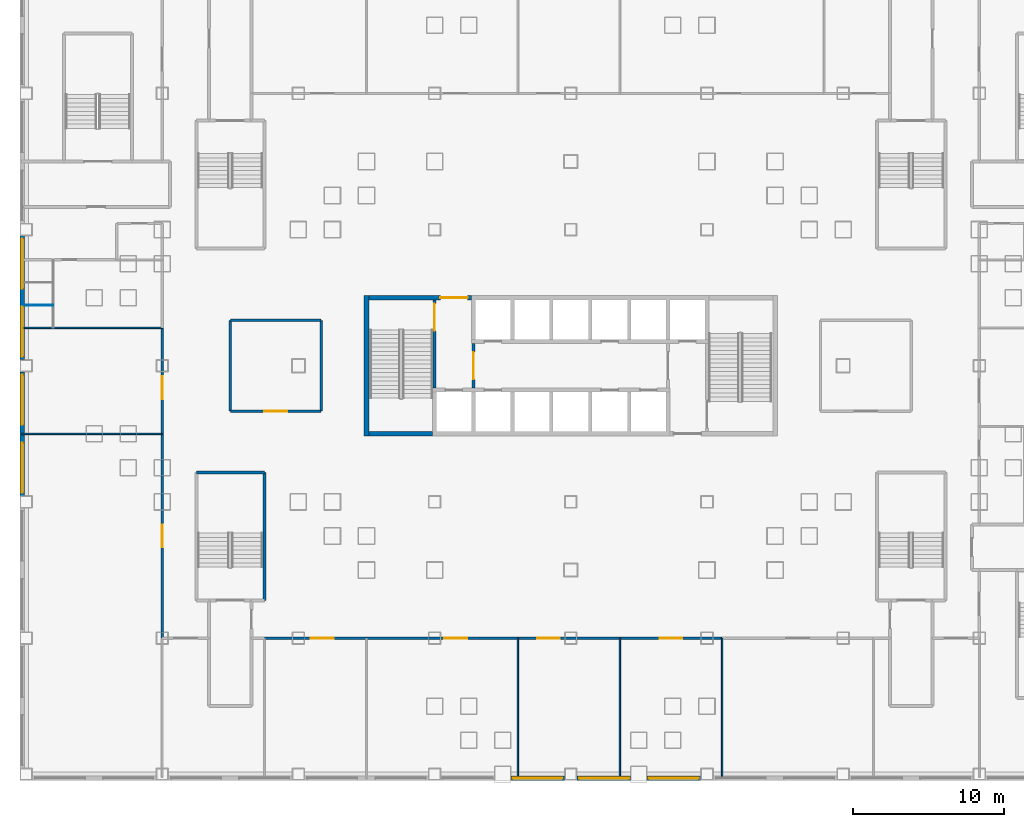
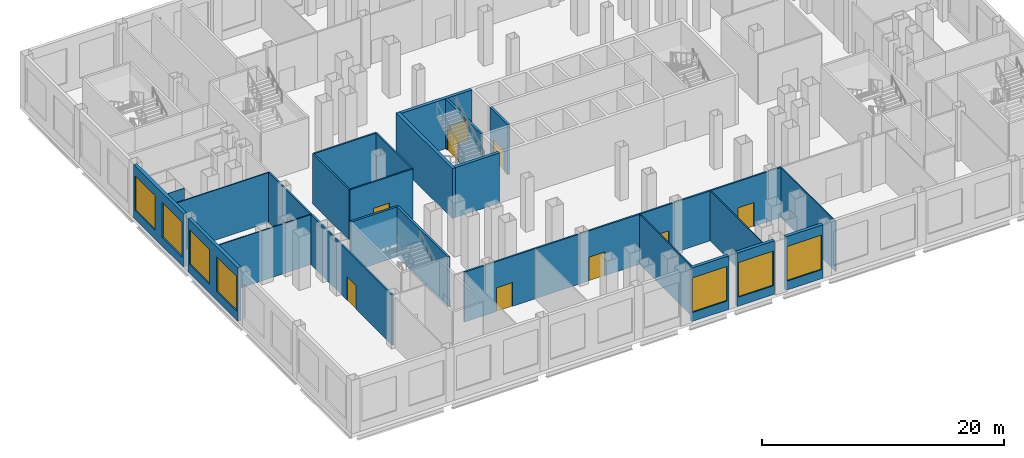
# One storey, part 3 of 27: 28 walls, 10 doors, 7 windows, 17 openings.
"""IFC4 building model written with IfcOpenShell, lengths in metres."""

from ifc_helpers import new_model, si_unit, direction, frame, frame_2d, origin, place, context, subcontext, project, spatial, rectangle, extrude, material, layer, layer_set, type_object, element, fill, save


model = new_model("IFC4")

# Units and contexts
model_context = context("Model", 3, precision=1e-05, world=origin(), true_north=direction((0.0, 1.0)))
body_context = subcontext(model_context, "Body", "Model", "MODEL_VIEW")
ifc_project = project(units=[si_unit("LENGTHUNIT", "METRE"), si_unit("AREAUNIT", "SQUARE_METRE"), si_unit("VOLUMEUNIT", "CUBIC_METRE"), si_unit("PLANEANGLEUNIT", "RADIAN"), si_unit("MASSUNIT", "GRAM", prefix="KILO")], contexts=[model_context])

# Site, building, storey
site_placement = place(None, origin())
site = spatial("IfcSite", under=ifc_project, at=site_placement, CompositionType="ELEMENT")
building_placement = place(site_placement, origin())
building = spatial("IfcBuilding", under=site, at=building_placement, Name="Caravel Reach Hotel and Residences", CompositionType="ELEMENT")
storey_placement = place(building_placement, frame((0.0, 0.0, 6.60009765625)))
storey = spatial("IfcBuildingStorey", under=building, at=storey_placement, Name="L01", CompositionType="ELEMENT", Elevation=6.60009765625)

# Wall
ifc_material_1 = material(Name="Concrete C60", Category="concrete")
ifc_layer_1 = layer(ifc_material_1, 0.300048828125)
ifc_layer_set_1 = layer_set([ifc_layer_1], Name="Core wall 300 mm EI 120")
wall_type_1 = type_object("IfcWallType", Name="Core wall 300 mm EI 120", PredefinedType="SHEAR", material=ifc_layer_set_1)
wall_1_placement = place(storey_placement, frame((18.14990234375, 22.5, 0.0), z_axis=(0.0, 0.0, 1.0), x_axis=(1.0, 0.0, 0.0)))
element("IfcWall", 1, at=wall_1_placement, inside=storey, type_object=wall_type_1, Name="L01 core wall S1", PredefinedType="SHEAR", context=body_context, shape_type="SweptSolid", body=[
    extrude(rectangle(XDim=4.22509765625, YDim=0.300048828125, at=frame_2d((2.112548828125, 0.0))), origin(), (0.0, 0.0, 1.0), 5.0498046875),
])

# Wall, opening, door
wall_2_placement = place(storey_placement, frame((18.14990234375, 31.5, 0.0), z_axis=(0.0, 0.0, 1.0), x_axis=(1.0, 0.0, 0.0)))
wall_2 = element("IfcWall", 2, at=wall_2_placement, inside=storey, type_object=wall_type_1, Name="L01 core wall N1", PredefinedType="SHEAR", context=body_context, shape_type="SweptSolid", body=[
    extrude(rectangle(XDim=6.796630859375, YDim=0.300048828125, at=frame_2d((3.3984375, 0.0))), origin(), (0.0, 0.0, 1.0), 5.0498046875),
])
opening_1_placement = place(wall_2_placement, frame((4.735595703125, 0.0, 0.0)))
opening_1 = element("IfcOpeningElement", 3, at=opening_1_placement, cuts=wall_2, Name="Opening D01-012", PredefinedType="OPENING", context=body_context, shape_type="SweptSolid", body=[
    extrude(rectangle(XDim=1.800048828125, YDim=2.10009765625, at=frame_2d((0.89990234375, 1.050048828125))), frame((0.0, 0.159912109375, 0.0), z_axis=(0.0, -1.0, 0.0), x_axis=(1.0, 0.0, 0.0)), (0.0, 0.0, 1.0), 0.320068359375),
])
ifc_material_2 = material(Name="Steel fire door leaf", Category="steel")
door_type_1 = type_object("IfcDoorType", Name="Fire lobby door pair 1800 x 2100 EI 90", OperationType="DOUBLE_DOOR_SINGLE_SWING", PredefinedType="DOOR", material=ifc_material_2)
door_1_placement = place(opening_1_placement, origin())
door_1 = element("IfcDoor", 4, at=door_1_placement, inside=storey, type_object=door_type_1, Name="lobby N door pair to corridor", OperationType="DOUBLE_DOOR_SINGLE_SWING", OverallHeight=2.10009765625, OverallWidth=1.800048828125, PredefinedType="DOOR", context=body_context, shape_type="SweptSolid", body=[
    extrude(rectangle(XDim=1.800048828125, YDim=2.10009765625, at=frame_2d((0.89990234375, 1.050048828125))), frame((0.0, 0.02490234375, 0.0), z_axis=(0.0, -1.0, 0.0), x_axis=(1.0, 0.0, 0.0)), (0.0, 0.0, 1.0), 0.050048828125),
])
fill(opening_1, door_1)

# Wall
wall_3_placement = place(storey_placement, frame((18.0, 22.35009765625, 0.0), z_axis=(0.0, 0.0, 1.0), x_axis=(0.0, 1.0, 0.0)))
element("IfcWall", 5, at=wall_3_placement, inside=storey, type_object=wall_type_1, Name="L01 core wall W", PredefinedType="SHEAR", context=body_context, shape_type="SweptSolid", body=[
    extrude(rectangle(XDim=9.2998046875, YDim=0.300048828125, at=frame_2d((4.64990234375, 0.0))), origin(), (0.0, 0.0, 1.0), 5.0498046875),
])

# Wall, opening, door
ifc_material_3 = material(Name="Gypsum board on steel stud, fire-rated", Category="steel")
ifc_layer_2 = layer(ifc_material_3, 0.14990234375)
ifc_layer_set_2 = layer_set([ifc_layer_2], Name="Corridor wall 150 mm EI 60")
wall_type_2 = type_object("IfcWallType", Name="Corridor wall 150 mm EI 60", PredefinedType="PARTITIONING", material=ifc_layer_set_2)
wall_4_placement = place(storey_placement, frame((9.0, 24.0, 0.0), z_axis=(0.0, 0.0, 1.0), x_axis=(1.0, 0.0, 0.0)))
wall_4 = element("IfcWall", 6, at=wall_4_placement, inside=storey, type_object=wall_type_2, Name="L01 wall w001", PredefinedType="PARTITIONING", context=body_context, shape_type="SweptSolid", body=[
    extrude(rectangle(XDim=6.0, YDim=0.14990234375, at=frame_2d((3.0, 0.0))), origin(), (0.0, 0.0, 1.0), 5.0498046875),
])
opening_2_placement = place(wall_4_placement, frame((2.25, 0.0, 0.0)))
opening_2 = element("IfcOpeningElement", 7, at=opening_2_placement, cuts=wall_4, Name="Opening D01-051", PredefinedType="OPENING", context=body_context, shape_type="SweptSolid", body=[
    extrude(rectangle(XDim=1.5, YDim=2.39990234375, at=frame_2d((0.75, 1.199951171875))), frame((0.0, 0.0849609375, 0.0), z_axis=(0.0, -1.0, 0.0), x_axis=(1.0, 0.0, 0.0)), (0.0, 0.0, 1.0), 0.169921875),
])
ifc_material_4 = material(Name="Timber and steel door leaf", Category="steel")
door_type_2 = type_object("IfcDoorType", Name="Shopfront door 1500 x 2400", OperationType="DOUBLE_DOOR_SINGLE_SWING", PredefinedType="DOOR", material=ifc_material_4)
door_2_placement = place(opening_2_placement, origin())
door_2 = element("IfcDoor", 8, at=door_2_placement, inside=storey, type_object=door_type_2, Name="door D01-051", OperationType="DOUBLE_DOOR_SINGLE_SWING", OverallHeight=2.39990234375, OverallWidth=1.5, PredefinedType="DOOR", context=body_context, shape_type="SweptSolid", body=[
    extrude(rectangle(XDim=1.5, YDim=2.39990234375, at=frame_2d((0.75, 1.199951171875))), frame((0.0, 0.02490234375, 0.0), z_axis=(0.0, -1.0, 0.0), x_axis=(1.0, 0.0, 0.0)), (0.0, 0.0, 1.0), 0.050048828125),
])
fill(opening_2, door_2)

# Wall
wall_5_placement = place(storey_placement, frame((9.0, 30.0, 0.0), z_axis=(0.0, 0.0, 1.0), x_axis=(1.0, 0.0, 0.0)))
element("IfcWall", 9, at=wall_5_placement, inside=storey, type_object=wall_type_2, Name="L01 wall w003", PredefinedType="PARTITIONING", context=body_context, shape_type="SweptSolid", body=[
    extrude(rectangle(XDim=6.0, YDim=0.14990234375, at=frame_2d((3.0, 0.0))), origin(), (0.0, 0.0, 1.0), 5.0498046875),
])

# Wall, opening, door
wall_6_placement = place(storey_placement, frame((11.25, 9.0, 0.0), z_axis=(0.0, 0.0, 1.0), x_axis=(1.0, 0.0, 0.0)))
wall_6 = element("IfcWall", 10, at=wall_6_placement, inside=storey, type_object=wall_type_2, Name="L01 wall w016", PredefinedType="PARTITIONING", context=body_context, shape_type="SweptSolid", body=[
    extrude(rectangle(XDim=6.75, YDim=0.14990234375, at=frame_2d((3.375, 0.0))), origin(), (0.0, 0.0, 1.0), 5.0498046875),
])
opening_3_placement = place(wall_6_placement, frame((3.074951171875, 0.0, 0.0)))
opening_3 = element("IfcOpeningElement", 11, at=opening_3_placement, cuts=wall_6, Name="Opening D01-040", PredefinedType="OPENING", context=body_context, shape_type="SweptSolid", body=[
    extrude(rectangle(XDim=1.5, YDim=2.39990234375, at=frame_2d((0.75, 1.199951171875))), frame((0.0, 0.0849609375, 0.0), z_axis=(0.0, -1.0, 0.0), x_axis=(1.0, 0.0, 0.0)), (0.0, 0.0, 1.0), 0.169921875),
])
door_3_placement = place(opening_3_placement, origin())
door_3 = element("IfcDoor", 12, at=door_3_placement, inside=storey, type_object=door_type_2, Name="door D01-040", OperationType="DOUBLE_DOOR_SINGLE_SWING", OverallHeight=2.39990234375, OverallWidth=1.5, PredefinedType="DOOR", context=body_context, shape_type="SweptSolid", body=[
    extrude(rectangle(XDim=1.5, YDim=2.39990234375, at=frame_2d((0.75, 1.199951171875))), frame((0.0, 0.02490234375, 0.0), z_axis=(0.0, -1.0, 0.0), x_axis=(1.0, 0.0, 0.0)), (0.0, 0.0, 1.0), 0.050048828125),
])
fill(opening_3, door_3)

wall_7_placement = place(storey_placement, frame((18.0, 9.0, 0.0), z_axis=(0.0, 0.0, 1.0), x_axis=(1.0, 0.0, 0.0)))
wall_7 = element("IfcWall", 13, at=wall_7_placement, inside=storey, type_object=wall_type_2, Name="L01 wall w017", PredefinedType="PARTITIONING", context=body_context, shape_type="SweptSolid", body=[
    extrude(rectangle(XDim=10.0, YDim=0.14990234375, at=frame_2d((5.0, 0.0))), origin(), (0.0, 0.0, 1.0), 5.0498046875),
])
opening_4_placement = place(wall_7_placement, frame((5.14990234375, 0.0, 0.0)))
opening_4 = element("IfcOpeningElement", 14, at=opening_4_placement, cuts=wall_7, Name="Opening D01-041", PredefinedType="OPENING", context=body_context, shape_type="SweptSolid", body=[
    extrude(rectangle(XDim=1.5, YDim=2.39990234375, at=frame_2d((0.75, 1.199951171875))), frame((0.0, 0.0849609375, 0.0), z_axis=(0.0, -1.0, 0.0), x_axis=(1.0, 0.0, 0.0)), (0.0, 0.0, 1.0), 0.169921875),
])
door_4_placement = place(opening_4_placement, origin())
door_4 = element("IfcDoor", 15, at=door_4_placement, inside=storey, type_object=door_type_2, Name="door D01-041", OperationType="DOUBLE_DOOR_SINGLE_SWING", OverallHeight=2.39990234375, OverallWidth=1.5, PredefinedType="DOOR", context=body_context, shape_type="SweptSolid", body=[
    extrude(rectangle(XDim=1.5, YDim=2.39990234375, at=frame_2d((0.75, 1.199951171875))), frame((0.0, 0.02490234375, 0.0), z_axis=(0.0, -1.0, 0.0), x_axis=(1.0, 0.0, 0.0)), (0.0, 0.0, 1.0), 0.050048828125),
])
fill(opening_4, door_4)

wall_8_placement = place(storey_placement, frame((28.0, 9.0, 0.0), z_axis=(0.0, 0.0, 1.0), x_axis=(1.0, 0.0, 0.0)))
wall_8 = element("IfcWall", 16, at=wall_8_placement, inside=storey, type_object=wall_type_2, Name="L01 wall w018", PredefinedType="PARTITIONING", context=body_context, shape_type="SweptSolid", body=[
    extrude(rectangle(XDim=6.75, YDim=0.14990234375, at=frame_2d((3.375, 0.0))), origin(), (0.0, 0.0, 1.0), 5.0498046875),
])
opening_5_placement = place(wall_8_placement, frame((1.27490234375, 0.0, 0.0)))
opening_5 = element("IfcOpeningElement", 17, at=opening_5_placement, cuts=wall_8, Name="Opening D01-042", PredefinedType="OPENING", context=body_context, shape_type="SweptSolid", body=[
    extrude(rectangle(XDim=1.5, YDim=2.39990234375, at=frame_2d((0.75, 1.199951171875))), frame((0.0, 0.0849609375, 0.0), z_axis=(0.0, -1.0, 0.0), x_axis=(1.0, 0.0, 0.0)), (0.0, 0.0, 1.0), 0.169921875),
])
door_5_placement = place(opening_5_placement, origin())
door_5 = element("IfcDoor", 18, at=door_5_placement, inside=storey, type_object=door_type_2, Name="door D01-042", OperationType="DOUBLE_DOOR_SINGLE_SWING", OverallHeight=2.39990234375, OverallWidth=1.5, PredefinedType="DOOR", context=body_context, shape_type="SweptSolid", body=[
    extrude(rectangle(XDim=1.5, YDim=2.39990234375, at=frame_2d((0.75, 1.199951171875))), frame((0.0, 0.02490234375, 0.0), z_axis=(0.0, -1.0, 0.0), x_axis=(1.0, 0.0, 0.0)), (0.0, 0.0, 1.0), 0.050048828125),
])
fill(opening_5, door_5)

wall_9_placement = place(storey_placement, frame((34.75, 9.0, 0.0), z_axis=(0.0, 0.0, 1.0), x_axis=(1.0, 0.0, 0.0)))
wall_9 = element("IfcWall", 19, at=wall_9_placement, inside=storey, type_object=wall_type_2, Name="L01 wall w019", PredefinedType="PARTITIONING", context=body_context, shape_type="SweptSolid", body=[
    extrude(rectangle(XDim=6.75, YDim=0.14990234375, at=frame_2d((3.375, 0.0))), origin(), (0.0, 0.0, 1.0), 5.0498046875),
])
opening_6_placement = place(wall_9_placement, frame((2.625, 0.0, 0.0)))
opening_6 = element("IfcOpeningElement", 20, at=opening_6_placement, cuts=wall_9, Name="Opening D01-043", PredefinedType="OPENING", context=body_context, shape_type="SweptSolid", body=[
    extrude(rectangle(XDim=1.5, YDim=2.39990234375, at=frame_2d((0.75, 1.199951171875))), frame((0.0, 0.0849609375, 0.0), z_axis=(0.0, -1.0, 0.0), x_axis=(1.0, 0.0, 0.0)), (0.0, 0.0, 1.0), 0.169921875),
])
door_6_placement = place(opening_6_placement, origin())
door_6 = element("IfcDoor", 21, at=door_6_placement, inside=storey, type_object=door_type_2, Name="door D01-043", OperationType="DOUBLE_DOOR_SINGLE_SWING", OverallHeight=2.39990234375, OverallWidth=1.5, PredefinedType="DOOR", context=body_context, shape_type="SweptSolid", body=[
    extrude(rectangle(XDim=1.5, YDim=2.39990234375, at=frame_2d((0.75, 1.199951171875))), frame((0.0, 0.02490234375, 0.0), z_axis=(0.0, -1.0, 0.0), x_axis=(1.0, 0.0, 0.0)), (0.0, 0.0, 1.0), 0.050048828125),
])
fill(opening_6, door_6)

# Wall
wall_10_placement = place(storey_placement, frame((15.0, 24.0, 0.0), z_axis=(0.0, 0.0, 1.0), x_axis=(0.0, 1.0, 0.0)))
element("IfcWall", 22, at=wall_10_placement, inside=storey, type_object=wall_type_2, Name="L01 wall w024", PredefinedType="PARTITIONING", context=body_context, shape_type="SweptSolid", body=[
    extrude(rectangle(XDim=6.0, YDim=0.14990234375, at=frame_2d((3.0, 0.0))), origin(), (0.0, 0.0, 1.0), 5.0498046875),
])

# Wall, opening, door
wall_11_placement = place(storey_placement, frame((4.5, 9.0, 0.0), z_axis=(0.0, 0.0, 1.0), x_axis=(0.0, 1.0, 0.0)))
wall_11 = element("IfcWall", 23, at=wall_11_placement, inside=storey, type_object=wall_type_2, Name="L01 wall w025", PredefinedType="PARTITIONING", context=body_context, shape_type="SweptSolid", body=[
    extrude(rectangle(XDim=13.5, YDim=0.14990234375, at=frame_2d((6.75, 0.0))), origin(), (0.0, 0.0, 1.0), 5.0498046875),
])
opening_7_placement = place(wall_11_placement, frame((6.0, 0.0, 0.0)))
opening_7 = element("IfcOpeningElement", 24, at=opening_7_placement, cuts=wall_11, Name="Opening D01-029", PredefinedType="OPENING", context=body_context, shape_type="SweptSolid", body=[
    extrude(rectangle(XDim=1.5, YDim=2.39990234375, at=frame_2d((0.75, 1.199951171875))), frame((0.0, 0.0849609375, 0.0), z_axis=(0.0, -1.0, 0.0), x_axis=(1.0, 0.0, 0.0)), (0.0, 0.0, 1.0), 0.169921875),
])
door_7_placement = place(opening_7_placement, origin())
door_7 = element("IfcDoor", 25, at=door_7_placement, inside=storey, type_object=door_type_2, Name="door D01-029", OperationType="DOUBLE_DOOR_SINGLE_SWING", OverallHeight=2.39990234375, OverallWidth=1.5, PredefinedType="DOOR", context=body_context, shape_type="SweptSolid", body=[
    extrude(rectangle(XDim=1.5, YDim=2.39990234375, at=frame_2d((0.75, 1.199951171875))), frame((0.0, 0.02490234375, 0.0), z_axis=(0.0, -1.0, 0.0), x_axis=(1.0, 0.0, 0.0)), (0.0, 0.0, 1.0), 0.050048828125),
])
fill(opening_7, door_7)

wall_12_placement = place(storey_placement, frame((4.5, 22.5, 0.0), z_axis=(0.0, 0.0, 1.0), x_axis=(0.0, 1.0, 0.0)))
wall_12 = element("IfcWall", 26, at=wall_12_placement, inside=storey, type_object=wall_type_2, Name="L01 wall w026", PredefinedType="PARTITIONING", context=body_context, shape_type="SweptSolid", body=[
    extrude(rectangle(XDim=7.0, YDim=0.14990234375, at=frame_2d((3.5, 0.0))), origin(), (0.0, 0.0, 1.0), 5.0498046875),
])
opening_8_placement = place(wall_12_placement, frame((2.300048828125, 0.0, 0.0)))
opening_8 = element("IfcOpeningElement", 27, at=opening_8_placement, cuts=wall_12, Name="Opening D01-030", PredefinedType="OPENING", context=body_context, shape_type="SweptSolid", body=[
    extrude(rectangle(XDim=1.5, YDim=2.39990234375, at=frame_2d((0.75, 1.199951171875))), frame((0.0, 0.0849609375, 0.0), z_axis=(0.0, -1.0, 0.0), x_axis=(1.0, 0.0, 0.0)), (0.0, 0.0, 1.0), 0.169921875),
])
door_8_placement = place(opening_8_placement, origin())
door_8 = element("IfcDoor", 28, at=door_8_placement, inside=storey, type_object=door_type_2, Name="door D01-030", OperationType="DOUBLE_DOOR_SINGLE_SWING", OverallHeight=2.39990234375, OverallWidth=1.5, PredefinedType="DOOR", context=body_context, shape_type="SweptSolid", body=[
    extrude(rectangle(XDim=1.5, YDim=2.39990234375, at=frame_2d((0.75, 1.199951171875))), frame((0.0, 0.02490234375, 0.0), z_axis=(0.0, -1.0, 0.0), x_axis=(1.0, 0.0, 0.0)), (0.0, 0.0, 1.0), 0.050048828125),
])
fill(opening_8, door_8)

# Wall
wall_13_placement = place(storey_placement, frame((9.0, 24.0, 0.0), z_axis=(0.0, 0.0, 1.0), x_axis=(0.0, 1.0, 0.0)))
element("IfcWall", 29, at=wall_13_placement, inside=storey, type_object=wall_type_2, Name="L01 wall w039", PredefinedType="PARTITIONING", context=body_context, shape_type="SweptSolid", body=[
    extrude(rectangle(XDim=6.0, YDim=0.14990234375, at=frame_2d((3.0, 0.0))), origin(), (0.0, 0.0, 1.0), 5.0498046875),
])

# Wall, openings, windows
ifc_material_5 = material(Name="Insulated wall, stone cladding", Category="masonry")
ifc_layer_3 = layer(ifc_material_5, 0.300048828125)
ifc_layer_set_3 = layer_set([ifc_layer_3], Name="EW2 Podium stone-clad wall")
wall_type_3 = type_object("IfcWallType", Name="EW2 Podium stone-clad wall", PredefinedType="SOLIDWALL", material=ifc_layer_set_3)
wall_14_placement = place(storey_placement, frame((-4.75, 35.60009765625, 0.0), z_axis=(0.0, 0.0, 1.0), x_axis=(0.0, -1.0, 0.0)))
wall_14 = element("IfcWall", 30, at=wall_14_placement, inside=storey, type_object=wall_type_3, Name="External wall L01 W3.3", PredefinedType="SOLIDWALL", context=body_context, shape_type="SweptSolid", body=[
    extrude(rectangle(XDim=8.2001953125, YDim=0.300048828125, at=frame_2d((4.10009765625, 0.0))), origin(), (0.0, 0.0, 1.0), 5.39990234375),
])
opening_9_placement = place(wall_14_placement, frame((0.199951171875, 0.0, 0.89990234375)))
opening_9 = element("IfcOpeningElement", 31, at=opening_9_placement, cuts=wall_14, Name="Opening WN30", PredefinedType="OPENING", context=body_context, shape_type="SweptSolid", body=[
    extrude(rectangle(XDim=3.300048828125, YDim=3.5, at=frame_2d((1.64990234375, 1.75))), frame((0.0, 0.159912109375, 0.0), z_axis=(0.0, -1.0, 0.0), x_axis=(1.0, 0.0, 0.0)), (0.0, 0.0, 1.0), 0.320068359375),
])
opening_10_placement = place(wall_14_placement, frame((4.699951171875, 0.0, 0.89990234375)))
opening_10 = element("IfcOpeningElement", 32, at=opening_10_placement, cuts=wall_14, Name="Opening WN30", PredefinedType="OPENING", context=body_context, shape_type="SweptSolid", body=[
    extrude(rectangle(XDim=3.300048828125, YDim=3.5, at=frame_2d((1.64990234375, 1.75))), frame((0.0, 0.159912109375, 0.0), z_axis=(0.0, -1.0, 0.0), x_axis=(1.0, 0.0, 0.0)), (0.0, 0.0, 1.0), 0.320068359375),
])
ifc_material_6 = material(Name="Dark low-e glazing in black aluminium frame", Category="aluminium")
window_type = type_object("IfcWindowType", Name="Podium window 3300 x 3500", PartitioningType="SINGLE_PANEL", PredefinedType="WINDOW", material=ifc_material_6)
window_1_placement = place(opening_9_placement, origin())
window_1 = element("IfcWindow", 33, at=window_1_placement, inside=storey, type_object=window_type, Name="Window L01 W3.3.1", OverallHeight=3.5, OverallWidth=3.300048828125, PartitioningType="SINGLE_PANEL", PredefinedType="WINDOW", context=body_context, shape_type="SweptSolid", body=[
    extrude(rectangle(XDim=3.300048828125, YDim=3.5, at=frame_2d((1.64990234375, 1.75))), frame((0.0, 0.030029296875, 0.0), z_axis=(0.0, -1.0, 0.0), x_axis=(1.0, 0.0, 0.0)), (0.0, 0.0, 1.0), 0.06005859375),
])
fill(opening_9, window_1)
window_2_placement = place(opening_10_placement, origin())
window_2 = element("IfcWindow", 34, at=window_2_placement, inside=storey, type_object=window_type, Name="Window L01 W3.3.2", OverallHeight=3.5, OverallWidth=3.300048828125, PartitioningType="SINGLE_PANEL", PredefinedType="WINDOW", context=body_context, shape_type="SweptSolid", body=[
    extrude(rectangle(XDim=3.300048828125, YDim=3.5, at=frame_2d((1.64990234375, 1.75))), frame((0.0, 0.030029296875, 0.0), z_axis=(0.0, -1.0, 0.0), x_axis=(1.0, 0.0, 0.0)), (0.0, 0.0, 1.0), 0.06005859375),
])
fill(opening_10, window_2)

wall_15_placement = place(storey_placement, frame((-4.75, 26.60009765625, 0.0), z_axis=(0.0, 0.0, 1.0), x_axis=(0.0, -1.0, 0.0)))
wall_15 = element("IfcWall", 35, at=wall_15_placement, inside=storey, type_object=wall_type_3, Name="External wall L01 W3.4", PredefinedType="SOLIDWALL", context=body_context, shape_type="SweptSolid", body=[
    extrude(rectangle(XDim=8.2001953125, YDim=0.300048828125, at=frame_2d((4.10009765625, 0.0))), origin(), (0.0, 0.0, 1.0), 5.39990234375),
])
opening_11_placement = place(wall_15_placement, frame((0.199951171875, 0.0, 0.89990234375)))
opening_11 = element("IfcOpeningElement", 36, at=opening_11_placement, cuts=wall_15, Name="Opening WN30", PredefinedType="OPENING", context=body_context, shape_type="SweptSolid", body=[
    extrude(rectangle(XDim=3.300048828125, YDim=3.5, at=frame_2d((1.64990234375, 1.75))), frame((0.0, 0.159912109375, 0.0), z_axis=(0.0, -1.0, 0.0), x_axis=(1.0, 0.0, 0.0)), (0.0, 0.0, 1.0), 0.320068359375),
])
opening_12_placement = place(wall_15_placement, frame((4.699951171875, 0.0, 0.89990234375)))
opening_12 = element("IfcOpeningElement", 37, at=opening_12_placement, cuts=wall_15, Name="Opening WN30", PredefinedType="OPENING", context=body_context, shape_type="SweptSolid", body=[
    extrude(rectangle(XDim=3.300048828125, YDim=3.5, at=frame_2d((1.64990234375, 1.75))), frame((0.0, 0.159912109375, 0.0), z_axis=(0.0, -1.0, 0.0), x_axis=(1.0, 0.0, 0.0)), (0.0, 0.0, 1.0), 0.320068359375),
])
window_3_placement = place(opening_11_placement, origin())
window_3 = element("IfcWindow", 38, at=window_3_placement, inside=storey, type_object=window_type, Name="Window L01 W3.4.1", OverallHeight=3.5, OverallWidth=3.300048828125, PartitioningType="SINGLE_PANEL", PredefinedType="WINDOW", context=body_context, shape_type="SweptSolid", body=[
    extrude(rectangle(XDim=3.300048828125, YDim=3.5, at=frame_2d((1.64990234375, 1.75))), frame((0.0, 0.030029296875, 0.0), z_axis=(0.0, -1.0, 0.0), x_axis=(1.0, 0.0, 0.0)), (0.0, 0.0, 1.0), 0.06005859375),
])
fill(opening_11, window_3)
window_4_placement = place(opening_12_placement, origin())
window_4 = element("IfcWindow", 39, at=window_4_placement, inside=storey, type_object=window_type, Name="Window L01 W3.4.2", OverallHeight=3.5, OverallWidth=3.300048828125, PartitioningType="SINGLE_PANEL", PredefinedType="WINDOW", context=body_context, shape_type="SweptSolid", body=[
    extrude(rectangle(XDim=3.300048828125, YDim=3.5, at=frame_2d((1.64990234375, 1.75))), frame((0.0, 0.030029296875, 0.0), z_axis=(0.0, -1.0, 0.0), x_axis=(1.0, 0.0, 0.0)), (0.0, 0.0, 1.0), 0.06005859375),
])
fill(opening_12, window_4)

# Wall, opening, window
wall_16_placement = place(storey_placement, frame((27.550048828125, -0.25, 0.0), z_axis=(0.0, 0.0, 1.0), x_axis=(1.0, 0.0, 0.0)))
wall_16 = element("IfcWall", 40, at=wall_16_placement, inside=storey, type_object=wall_type_3, Name="External wall L01 S4.5", PredefinedType="SOLIDWALL", context=body_context, shape_type="SweptSolid", body=[
    extrude(rectangle(XDim=3.550048828125, YDim=0.300048828125, at=frame_2d((1.77490234375, 0.0))), origin(), (0.0, 0.0, 1.0), 5.39990234375),
])
opening_13_placement = place(wall_16_placement, frame((0.10009765625, 0.0, 0.89990234375)))
opening_13 = element("IfcOpeningElement", 41, at=opening_13_placement, cuts=wall_16, Name="Opening WN30", PredefinedType="OPENING", context=body_context, shape_type="SweptSolid", body=[
    extrude(rectangle(XDim=3.300048828125, YDim=3.5, at=frame_2d((1.64990234375, 1.75))), frame((0.0, 0.159912109375, 0.0), z_axis=(0.0, -1.0, 0.0), x_axis=(1.0, 0.0, 0.0)), (0.0, 0.0, 1.0), 0.320068359375),
])
window_5_placement = place(opening_13_placement, origin())
window_5 = element("IfcWindow", 42, at=window_5_placement, inside=storey, type_object=window_type, Name="Window L01 S4.5.1", OverallHeight=3.5, OverallWidth=3.300048828125, PartitioningType="SINGLE_PANEL", PredefinedType="WINDOW", context=body_context, shape_type="SweptSolid", body=[
    extrude(rectangle(XDim=3.300048828125, YDim=3.5, at=frame_2d((1.64990234375, 1.75))), frame((0.0, 0.030029296875, 0.0), z_axis=(0.0, -1.0, 0.0), x_axis=(1.0, 0.0, 0.0)), (0.0, 0.0, 1.0), 0.06005859375),
])
fill(opening_13, window_5)

wall_17_placement = place(storey_placement, frame((31.89990234375, -0.25, 0.0), z_axis=(0.0, 0.0, 1.0), x_axis=(1.0, 0.0, 0.0)))
wall_17 = element("IfcWall", 43, at=wall_17_placement, inside=storey, type_object=wall_type_3, Name="External wall L01 S4.6", PredefinedType="SOLIDWALL", context=body_context, shape_type="SweptSolid", body=[
    extrude(rectangle(XDim=3.550048828125, YDim=0.300048828125, at=frame_2d((1.77490234375, 0.0))), origin(), (0.0, 0.0, 1.0), 5.39990234375),
])
opening_14_placement = place(wall_17_placement, frame((0.14990234375, 0.0, 0.89990234375)))
opening_14 = element("IfcOpeningElement", 44, at=opening_14_placement, cuts=wall_17, Name="Opening WN30", PredefinedType="OPENING", context=body_context, shape_type="SweptSolid", body=[
    extrude(rectangle(XDim=3.300048828125, YDim=3.5, at=frame_2d((1.64990234375, 1.75))), frame((0.0, 0.159912109375, 0.0), z_axis=(0.0, -1.0, 0.0), x_axis=(1.0, 0.0, 0.0)), (0.0, 0.0, 1.0), 0.320068359375),
])
window_6_placement = place(opening_14_placement, origin())
window_6 = element("IfcWindow", 45, at=window_6_placement, inside=storey, type_object=window_type, Name="Window L01 S4.6.1", OverallHeight=3.5, OverallWidth=3.300048828125, PartitioningType="SINGLE_PANEL", PredefinedType="WINDOW", context=body_context, shape_type="SweptSolid", body=[
    extrude(rectangle(XDim=3.300048828125, YDim=3.5, at=frame_2d((1.64990234375, 1.75))), frame((0.0, 0.030029296875, 0.0), z_axis=(0.0, -1.0, 0.0), x_axis=(1.0, 0.0, 0.0)), (0.0, 0.0, 1.0), 0.06005859375),
])
fill(opening_14, window_6)

wall_18_placement = place(storey_placement, frame((36.550048828125, -0.25, 0.0), z_axis=(0.0, 0.0, 1.0), x_axis=(1.0, 0.0, 0.0)))
wall_18 = element("IfcWall", 46, at=wall_18_placement, inside=storey, type_object=wall_type_3, Name="External wall L01 S4.7", PredefinedType="SOLIDWALL", context=body_context, shape_type="SweptSolid", body=[
    extrude(rectangle(XDim=3.550048828125, YDim=0.300048828125, at=frame_2d((1.77490234375, 0.0))), origin(), (0.0, 0.0, 1.0), 5.39990234375),
])
opening_15_placement = place(wall_18_placement, frame((0.10009765625, 0.0, 0.89990234375)))
opening_15 = element("IfcOpeningElement", 47, at=opening_15_placement, cuts=wall_18, Name="Opening WN30", PredefinedType="OPENING", context=body_context, shape_type="SweptSolid", body=[
    extrude(rectangle(XDim=3.300048828125, YDim=3.5, at=frame_2d((1.64990234375, 1.75))), frame((0.0, 0.159912109375, 0.0), z_axis=(0.0, -1.0, 0.0), x_axis=(1.0, 0.0, 0.0)), (0.0, 0.0, 1.0), 0.320068359375),
])
window_7_placement = place(opening_15_placement, origin())
window_7 = element("IfcWindow", 48, at=window_7_placement, inside=storey, type_object=window_type, Name="Window L01 S4.7.1", OverallHeight=3.5, OverallWidth=3.300048828125, PartitioningType="SINGLE_PANEL", PredefinedType="WINDOW", context=body_context, shape_type="SweptSolid", body=[
    extrude(rectangle(XDim=3.300048828125, YDim=3.5, at=frame_2d((1.64990234375, 1.75))), frame((0.0, 0.030029296875, 0.0), z_axis=(0.0, -1.0, 0.0), x_axis=(1.0, 0.0, 0.0)), (0.0, 0.0, 1.0), 0.06005859375),
])
fill(opening_15, window_7)

# Wall, opening, door
ifc_material_7 = material(Name="Autoclaved aerated block wall")
ifc_layer_4 = layer(ifc_material_7, 0.199951171875)
ifc_layer_set_4 = layer_set([ifc_layer_4], Name="Fire lobby wall 200 mm EI 120")
wall_type_4 = type_object("IfcWallType", Name="Fire lobby wall 200 mm EI 120", PredefinedType="PARTITIONING", material=ifc_layer_set_4)
wall_19_placement = place(storey_placement, frame((25.071533203125, 25.52490234375, 0.0), z_axis=(0.0, 0.0, 1.0), x_axis=(0.0, 1.0, 0.0)))
wall_19 = element("IfcWall", 49, at=wall_19_placement, inside=storey, type_object=wall_type_4, Name="L01 lobby W wall", PredefinedType="PARTITIONING", context=body_context, shape_type="SweptSolid", body=[
    extrude(rectangle(XDim=2.9501953125, YDim=0.199951171875, at=frame_2d((1.47509765625, 0.0))), origin(), (0.0, 0.0, 1.0), 5.0498046875),
])
opening_16_placement = place(wall_19_placement, frame((0.574951171875, 0.0, 0.0)))
opening_16 = element("IfcOpeningElement", 50, at=opening_16_placement, cuts=wall_19, Name="Opening D01-010", PredefinedType="OPENING", context=body_context, shape_type="SweptSolid", body=[
    extrude(rectangle(XDim=1.800048828125, YDim=2.10009765625, at=frame_2d((0.89990234375, 1.050048828125))), frame((0.0, 0.10986328125, 0.0), z_axis=(0.0, -1.0, 0.0), x_axis=(1.0, 0.0, 0.0)), (0.0, 0.0, 1.0), 0.219970703125),
])
door_9_placement = place(opening_16_placement, origin())
door_9 = element("IfcDoor", 51, at=door_9_placement, inside=storey, type_object=door_type_1, Name="lobby W door pair", OperationType="DOUBLE_DOOR_SINGLE_SWING", OverallHeight=2.10009765625, OverallWidth=1.800048828125, PredefinedType="DOOR", context=body_context, shape_type="SweptSolid", body=[
    extrude(rectangle(XDim=1.800048828125, YDim=2.10009765625, at=frame_2d((0.89990234375, 1.050048828125))), frame((0.0, 0.02490234375, 0.0), z_axis=(0.0, -1.0, 0.0), x_axis=(1.0, 0.0, 0.0)), (0.0, 0.0, 1.0), 0.050048828125),
])
fill(opening_16, door_9)

# Walls
ifc_material_8 = material(Name="Gypsum board on steel stud", Category="steel")
ifc_layer_5 = layer(ifc_material_8, 0.10009765625)
ifc_layer_set_5 = layer_set([ifc_layer_5], Name="Partition 100 mm")
wall_type_5 = type_object("IfcWallType", Name="Partition 100 mm", PredefinedType="PARTITIONING", material=ifc_layer_set_5)
wall_20_placement = place(storey_placement, frame((-4.7900390625, 22.5, 0.0), z_axis=(0.0, 0.0, 1.0), x_axis=(1.0, 0.0, 0.0)))
element("IfcWall", 52, at=wall_20_placement, inside=storey, type_object=wall_type_5, Name="L01 wall w040", PredefinedType="PARTITIONING", context=body_context, shape_type="SweptSolid", body=[
    extrude(rectangle(XDim=9.2900390625, YDim=0.10009765625, at=frame_2d((4.64501953125, 0.0))), origin(), (0.0, 0.0, 1.0), 5.0498046875),
])
for number, where, z_axis, x_axis, name in (
    (53, (-4.6201171875, 29.5, 0.0), (0.0, 0.0, 1.0), (1.0, 0.0, 0.0), "L01 wall w042"),
    (54, (28.0, -0.1201171875, 0.0), (0.0, 0.0, 1.0), (0.0, 1.0, 0.0), "L01 wall w049"),
    (55, (34.75, -0.1201171875, 0.0), (0.0, 0.0, 1.0), (0.0, 1.0, 0.0), "L01 wall w051"),
    (56, (41.5, -0.1201171875, 0.0), (0.0, 0.0, 1.0), (0.0, 1.0, 0.0), "L01 wall w054"),
):
    element("IfcWall", number, at=place(storey_placement, frame(where, z_axis=z_axis, x_axis=x_axis)), inside=storey, type_object=wall_type_5, Name=name, PredefinedType="PARTITIONING", context=body_context, shape_type="SweptSolid", body=[
        extrude(rectangle(XDim=9.1201171875, YDim=0.10009765625, at=frame_2d((4.56005859375, 0.0))), origin(), (0.0, 0.0, 1.0), 5.0498046875),
    ])

# Wall, opening, door
ifc_material_9 = material(Name="Concrete C60", Category="concrete")
ifc_layer_6 = layer(ifc_material_9, 0.199951171875)
ifc_layer_set_6 = layer_set([ifc_layer_6], Name="Stair enclosure wall 200 mm EI 120")
wall_type_6 = type_object("IfcWallType", Name="Stair enclosure wall 200 mm EI 120", PredefinedType="SHEAR", material=ifc_layer_set_6)
wall_21_placement = place(storey_placement, frame((22.5, 31.35009765625, 0.0), z_axis=(0.0, 0.0, 1.0), x_axis=(0.0, -1.0, 0.0)))
wall_21 = element("IfcWall", 57, at=wall_21_placement, inside=storey, type_object=wall_type_6, Name="L01 stair A wall", PredefinedType="SHEAR", context=body_context, shape_type="SweptSolid", body=[
    extrude(rectangle(XDim=5.8251953125, YDim=0.199951171875, at=frame_2d((2.91259765625, 0.0))), origin(), (0.0, 0.0, 1.0), 5.0498046875),
])
opening_17_placement = place(wall_21_placement, frame((0.25, 0.0, 0.0)))
opening_17 = element("IfcOpeningElement", 58, at=opening_17_placement, cuts=wall_21, Name="Opening D01-008", PredefinedType="OPENING", context=body_context, shape_type="SweptSolid", body=[
    extrude(rectangle(XDim=1.800048828125, YDim=2.10009765625, at=frame_2d((0.89990234375, 1.050048828125))), frame((0.0, 0.10986328125, 0.0), z_axis=(0.0, -1.0, 0.0), x_axis=(1.0, 0.0, 0.0)), (0.0, 0.0, 1.0), 0.219970703125),
])
ifc_material_10 = material(Name="Steel fire door leaf", Category="steel")
door_type_3 = type_object("IfcDoorType", Name="Stair door pair 1800 x 2100 EI 90", OperationType="DOUBLE_DOOR_SINGLE_SWING", PredefinedType="DOOR", material=ifc_material_10)
door_10_placement = place(opening_17_placement, origin())
door_10 = element("IfcDoor", 59, at=door_10_placement, inside=storey, type_object=door_type_3, Name="stair A door pair", OperationType="DOUBLE_DOOR_SINGLE_SWING", OverallHeight=2.10009765625, OverallWidth=1.800048828125, PredefinedType="DOOR", context=body_context, shape_type="SweptSolid", body=[
    extrude(rectangle(XDim=1.800048828125, YDim=2.10009765625, at=frame_2d((0.89990234375, 1.050048828125))), frame((0.0, 0.02490234375, 0.0), z_axis=(0.0, -1.0, 0.0), x_axis=(1.0, 0.0, 0.0)), (0.0, 0.0, 1.0), 0.050048828125),
])
fill(opening_17, door_10)

# Walls
wall_22_placement = place(storey_placement, frame((6.75, 19.949951171875, 0.0), z_axis=(0.0, 0.0, 1.0), x_axis=(1.0, 0.0, 0.0)))
element("IfcWall", 60, at=wall_22_placement, inside=storey, type_object=wall_type_6, Name="L01 wall w099", PredefinedType="SHEAR", context=body_context, shape_type="SweptSolid", body=[
    extrude(rectangle(XDim=4.5, YDim=0.199951171875, at=frame_2d((2.25, 0.0))), origin(), (0.0, 0.0, 1.0), 5.0498046875),
])
wall_23_placement = place(storey_placement, frame((11.25, 11.5, 0.0), z_axis=(0.0, 0.0, 1.0), x_axis=(0.0, 1.0, 0.0)))
element("IfcWall", 61, at=wall_23_placement, inside=storey, type_object=wall_type_6, Name="L01 wall w116", PredefinedType="SHEAR", context=body_context, shape_type="SweptSolid", body=[
    extrude(rectangle(XDim=8.449951171875, YDim=0.199951171875, at=frame_2d((4.22509765625, 0.0))), origin(), (0.0, 0.0, 1.0), 5.0498046875),
])
ifc_material_11 = material(Name="Laminate cubicle panel")
ifc_layer_7 = layer(ifc_material_11, 0.0400390625)
ifc_layer_set_7 = layer_set([ifc_layer_7], Name="WC cubicle partition 40 mm")
wall_type_7 = type_object("IfcWallType", Name="WC cubicle partition 40 mm", PredefinedType="PARTITIONING", material=ifc_layer_set_7)
wall_24_placement = place(storey_placement, frame((-4.6201171875, 31.0, 0.0), z_axis=(0.0, 0.0, 1.0), x_axis=(1.0, 0.0, 0.0)))
element("IfcWall", 62, at=wall_24_placement, inside=storey, type_object=wall_type_7, Name="L01 wall cbr04.d1", PredefinedType="PARTITIONING", context=body_context, shape_type="SweptSolid", body=[
    extrude(rectangle(XDim=1.920166015625, YDim=0.0400390625, at=frame_2d((0.9599609375, 0.0))), origin(), (0.0, 0.0, 1.0), 5.0498046875),
])

save(model, "model.ifc")
